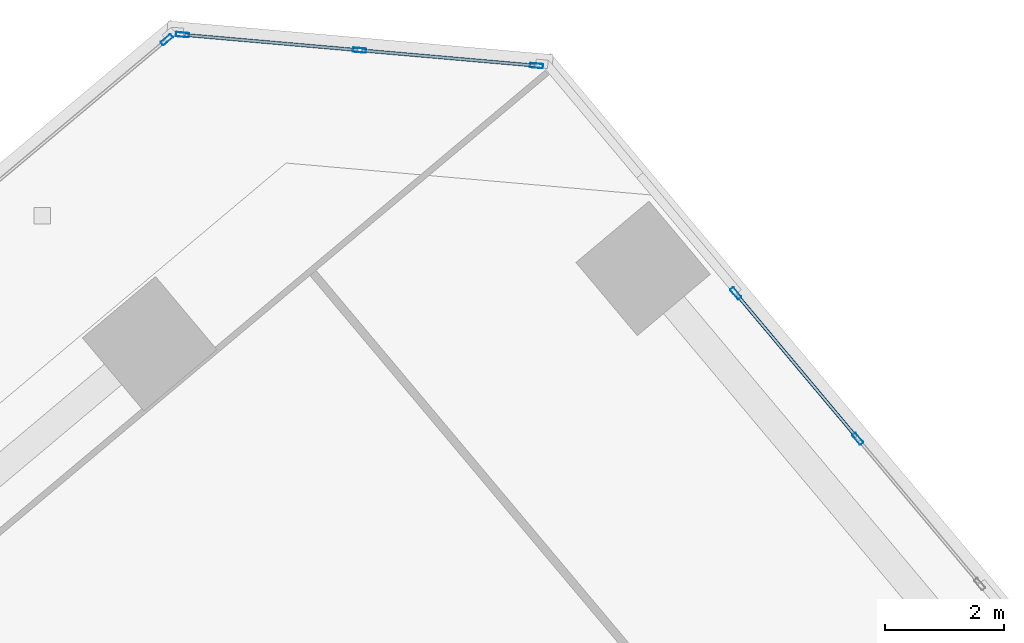
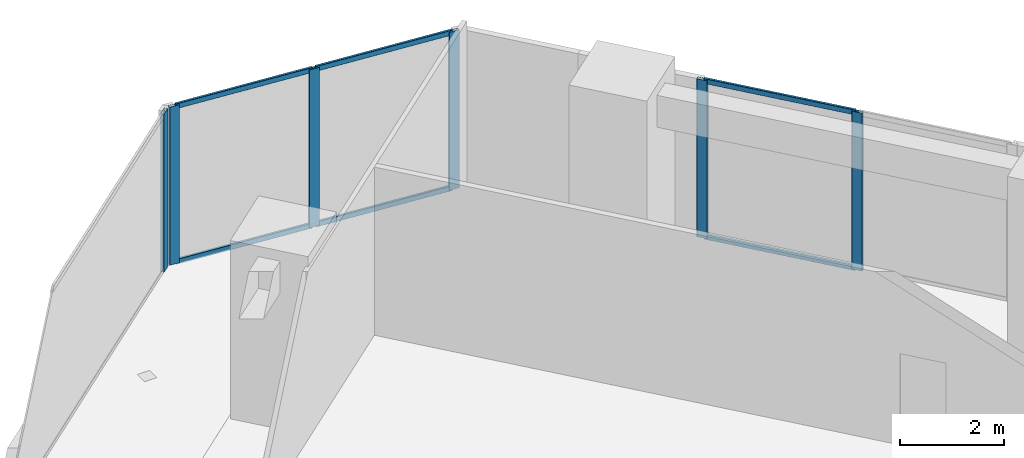
# One storey, part 10 of 17: 12 members, 3 elements without a shape of their own.
"""IFC4 building model written with IfcOpenShell, lengths in metres."""

from ifc_helpers import new_model, si_unit, direction, frame, origin, origin_2d, place, context, subcontext, project, spatial, hollow_rectangle, extrude, source, transform, mapped, material, material_profile, profile_set, type_object, element, aggregate, save


model = new_model("IFC4")

# Units and contexts
model_context = context("Model", 3, precision=1e-05, world=origin(), true_north=direction((0.0, 1.0)))
body_context = subcontext(model_context, "Body", "Model", "MODEL_VIEW")
ifc_project = project(units=[si_unit("LENGTHUNIT", "METRE"), si_unit("AREAUNIT", "SQUARE_METRE"), si_unit("VOLUMEUNIT", "CUBIC_METRE"), si_unit("PLANEANGLEUNIT", "RADIAN"), si_unit("MASSUNIT", "GRAM", prefix="KILO")], contexts=[model_context])

# Site, building, storey
site_placement = place(None, origin())
site = spatial("IfcSite", under=ifc_project, at=site_placement, CompositionType="ELEMENT")
building_placement = place(site_placement, origin())
building = spatial("IfcBuilding", under=site, at=building_placement, Name="Torre Montelarca", CompositionType="ELEMENT")
storey_placement = place(building_placement, frame((0.0, 0.0, 266.800048828125)))
storey = spatial("IfcBuildingStorey", under=building, at=storey_placement, Name="L60", CompositionType="ELEMENT", Elevation=266.800048828125)

# Curtain wall, members
ifc_material_1 = material(Name="Insulated low-E laminated glass", Category="glass")
curtain_wall_type = type_object("IfcCurtainWallType", Name="CW-SYS-Z3", PredefinedType="USERDEFINED", material=ifc_material_1)
curtain_wall_1_placement = place(storey_placement, origin())
curtain_wall_1 = element("IfcCurtainWall", 1, at=curtain_wall_1_placement, inside=storey, type_object=curtain_wall_type, Name="L60 Curtain Wall Run CW-T3-L60-E09-B1", ObjectType="UNITISED GLAZING", PredefinedType="USERDEFINED")
ifc_material_2 = material(Name="Anodised aluminium AA 6063-T6", Category="aluminium")
ifc_material_profile_1 = material_profile(ifc_material_2, hollow_rectangle(XDim=0.054931640625, YDim=0.1201171875, WallThickness=0.00341796875, InnerFilletRadius=0.00341796875, OuterFilletRadius=0.007080078125, at=origin_2d()), Name="ALU55X120X3.5", Category="aluminium")
ifc_profile_set_1 = profile_set([ifc_material_profile_1], Name="Anodised aluminium AA 6063-T6")
member_type_1 = type_object("IfcMemberType", Name="CWT-ALU120", PredefinedType="USERDEFINED", material=ifc_profile_set_1)
shared_shape_1 = source(origin(), body_context, "Body", "SweptSolid", [
    extrude(hollow_rectangle(XDim=0.054931640625, YDim=0.1201171875, WallThickness=0.00341796875, InnerFilletRadius=0.00341796875, OuterFilletRadius=0.007080078125, at=origin_2d()), origin(), (0.0, 0.0, 1.0), 2.903564453125),
])
member_1_placement = place(storey_placement, frame((23.24560546875, 54.714599609375, 0.02734375), z_axis=(-0.996198826652, 0.08710854021, 0.0), x_axis=(-0.08710854021, -0.996198826652, 0.0)))
member_1 = element("IfcMember", 2, at=member_1_placement, type_object=member_type_1, Name="CW transom 1.1", ObjectType="TRANSOM", PredefinedType="USERDEFINED", context=body_context, shape_type="MappedRepresentation", body=[
    mapped(shared_shape_1, transform((0.0, 0.0, 0.0), scale=1.0)),
])
member_2_placement = place(storey_placement, frame((23.24560546875, 54.714599609375, 3.6923828125), z_axis=(-0.996198826652, 0.08710854021, 0.0), x_axis=(-0.08710854021, -0.996198826652, 0.0)))
member_2 = element("IfcMember", 3, at=member_2_placement, type_object=member_type_1, Name="CW transom 1.2", ObjectType="TRANSOM", PredefinedType="USERDEFINED", context=body_context, shape_type="MappedRepresentation", body=[
    mapped(shared_shape_1, transform((0.0, 0.0, 0.0), scale=1.0)),
])
member_3_placement = place(storey_placement, frame((20.278076171875, 54.97412109375, 0.02734375), z_axis=(-0.996191526826, 0.087191982893, 0.0), x_axis=(-0.087191982893, -0.996191526826, 0.0)))
member_3 = element("IfcMember", 4, at=member_3_placement, type_object=member_type_1, Name="CW transom 2.1", ObjectType="TRANSOM", PredefinedType="USERDEFINED", context=body_context, shape_type="MappedRepresentation", body=[
    mapped(shared_shape_1, transform((0.0, 0.0, 0.0), scale=1.0)),
])
member_4_placement = place(storey_placement, frame((20.278076171875, 54.97412109375, 3.6923828125), z_axis=(-0.996191526826, 0.087191982893, 0.0), x_axis=(-0.087191982893, -0.996191526826, 0.0)))
member_4 = element("IfcMember", 5, at=member_4_placement, type_object=member_type_1, Name="CW transom 2.2", ObjectType="TRANSOM", PredefinedType="USERDEFINED", context=body_context, shape_type="MappedRepresentation", body=[
    mapped(shared_shape_1, transform((0.0, 0.0, 0.0), scale=1.0)),
])

curtain_wall_2_placement = place(storey_placement, origin())
curtain_wall_2 = element("IfcCurtainWall", 6, at=curtain_wall_2_placement, inside=storey, type_object=curtain_wall_type, Name="L60 Curtain Wall Run CW-T3-L60-E08-B3", ObjectType="UNITISED GLAZING", PredefinedType="USERDEFINED")
ifc_material_profile_2 = material_profile(ifc_material_2, hollow_rectangle(XDim=0.074951171875, YDim=0.219970703125, WallThickness=0.0048828125, InnerFilletRadius=0.0048828125, OuterFilletRadius=0.010009765625, at=origin_2d()), Name="ALU75X220X5", Category="aluminium")
ifc_profile_set_2 = profile_set([ifc_material_profile_2], Name="Anodised aluminium AA 6063-T6")
member_type_2 = type_object("IfcMemberType", Name="CWM-ALU220", PredefinedType="MULLION", material=ifc_profile_set_2)
shared_shape_2 = source(origin(), body_context, "Body", "SweptSolid", [
    extrude(hollow_rectangle(XDim=0.074951171875, YDim=0.219970703125, WallThickness=0.0048828125, InnerFilletRadius=0.0048828125, OuterFilletRadius=0.010009765625, at=origin_2d()), origin(), (0.0, 0.0, 1.0), 3.719970703125),
])
member_5_placement = place(storey_placement, frame((28.66796875, 48.4580078125, 0.0), z_axis=(0.0, 0.0, 1.0), x_axis=(-0.766039106979, -0.642793968997, 0.0)))
member_5 = element("IfcMember", 7, at=member_5_placement, type_object=member_type_2, Name="CW mullion 2", PredefinedType="MULLION", context=body_context, shape_type="MappedRepresentation", body=[
    mapped(shared_shape_2, transform((0.0, 0.0, 0.0), scale=1.0)),
])
member_6_placement = place(storey_placement, frame((26.622314453125, 50.895751953125, 0.0), z_axis=(0.0, 0.0, 1.0), x_axis=(-0.766039106979, -0.642793968997, 0.0)))
member_6 = element("IfcMember", 8, at=member_6_placement, type_object=member_type_2, Name="CW mullion 3", PredefinedType="MULLION", context=body_context, shape_type="MappedRepresentation", body=[
    mapped(shared_shape_2, transform((0.0, 0.0, 0.0), scale=1.0)),
])

# Member
member_7_placement = place(storey_placement, frame((23.282958984375, 54.711181640625, 0.0), z_axis=(0.0, 0.0, 1.0), x_axis=(-0.087164688188, -0.996193915427, 0.0)))
member_7 = element("IfcMember", 9, at=member_7_placement, type_object=member_type_2, Name="CW mullion 1", PredefinedType="MULLION", context=body_context, shape_type="MappedRepresentation", body=[
    mapped(shared_shape_2, transform((0.0, 0.0, 0.0), scale=1.0)),
])

member_8_placement = place(storey_placement, frame((20.3154296875, 54.970947265625, 0.0), z_axis=(0.0, 0.0, 1.0), x_axis=(-0.087164688188, -0.996193915427, 0.0)))
member_8 = element("IfcMember", 10, at=member_8_placement, type_object=member_type_2, Name="CW mullion 2", PredefinedType="MULLION", context=body_context, shape_type="MappedRepresentation", body=[
    mapped(shared_shape_2, transform((0.0, 0.0, 0.0), scale=1.0)),
])

member_9_placement = place(storey_placement, frame((17.34814453125, 55.23046875, 0.0), z_axis=(0.0, 0.0, 1.0), x_axis=(-0.087164688188, -0.996193915427, 0.0)))
member_9 = element("IfcMember", 11, at=member_9_placement, type_object=member_type_2, Name="CW mullion 3", PredefinedType="MULLION", context=body_context, shape_type="MappedRepresentation", body=[
    mapped(shared_shape_2, transform((0.0, 0.0, 0.0), scale=1.0)),
])

aggregate(curtain_wall_1, [member_7, member_8, member_9, member_1, member_2, member_3, member_4])

# Curtain wall, member
curtain_wall_3_placement = place(storey_placement, origin())
curtain_wall_3 = element("IfcCurtainWall", 12, at=curtain_wall_3_placement, inside=storey, type_object=curtain_wall_type, Name="L60 Curtain Wall Run CW-T3-L60-E10-B1", ObjectType="UNITISED GLAZING", PredefinedType="USERDEFINED")
member_10_placement = place(storey_placement, frame((17.084716796875, 55.1474609375, 0.0), z_axis=(0.0, 0.0, 1.0), x_axis=(0.642788408931, -0.766043772472, 0.0)))
member_10 = element("IfcMember", 13, at=member_10_placement, type_object=member_type_2, Name="CW mullion 1", PredefinedType="MULLION", context=body_context, shape_type="MappedRepresentation", body=[
    mapped(shared_shape_2, transform((0.0, 0.0, 0.0), scale=1.0)),
])
aggregate(curtain_wall_3, [member_10])

# Member
shared_shape_3 = source(origin(), body_context, "Body", "SweptSolid", [
    extrude(hollow_rectangle(XDim=0.054931640625, YDim=0.1201171875, WallThickness=0.00341796875, InnerFilletRadius=0.00341796875, OuterFilletRadius=0.007080078125, at=origin_2d()), origin(), (0.0, 0.0, 1.0), 3.107421875),
])
member_11_placement = place(storey_placement, frame((28.643798828125, 48.486572265625, 0.02734375), z_axis=(-0.642738715212, 0.766085467795, 0.0), x_axis=(-0.766085467795, -0.642738715212, 0.0)))
member_11 = element("IfcMember", 14, at=member_11_placement, type_object=member_type_1, Name="CW transom 2.1", ObjectType="TRANSOM", PredefinedType="USERDEFINED", context=body_context, shape_type="MappedRepresentation", body=[
    mapped(shared_shape_3, transform((0.0, 0.0, 0.0), scale=1.0)),
])

member_12_placement = place(storey_placement, frame((28.643798828125, 48.486572265625, 3.6923828125), z_axis=(-0.642738715212, 0.766085467795, 0.0), x_axis=(-0.766085467795, -0.642738715212, 0.0)))
member_12 = element("IfcMember", 15, at=member_12_placement, type_object=member_type_1, Name="CW transom 2.2", ObjectType="TRANSOM", PredefinedType="USERDEFINED", context=body_context, shape_type="MappedRepresentation", body=[
    mapped(shared_shape_3, transform((0.0, 0.0, 0.0), scale=1.0)),
])

aggregate(curtain_wall_2, [member_5, member_6, member_11, member_12])

save(model, "model.ifc")
